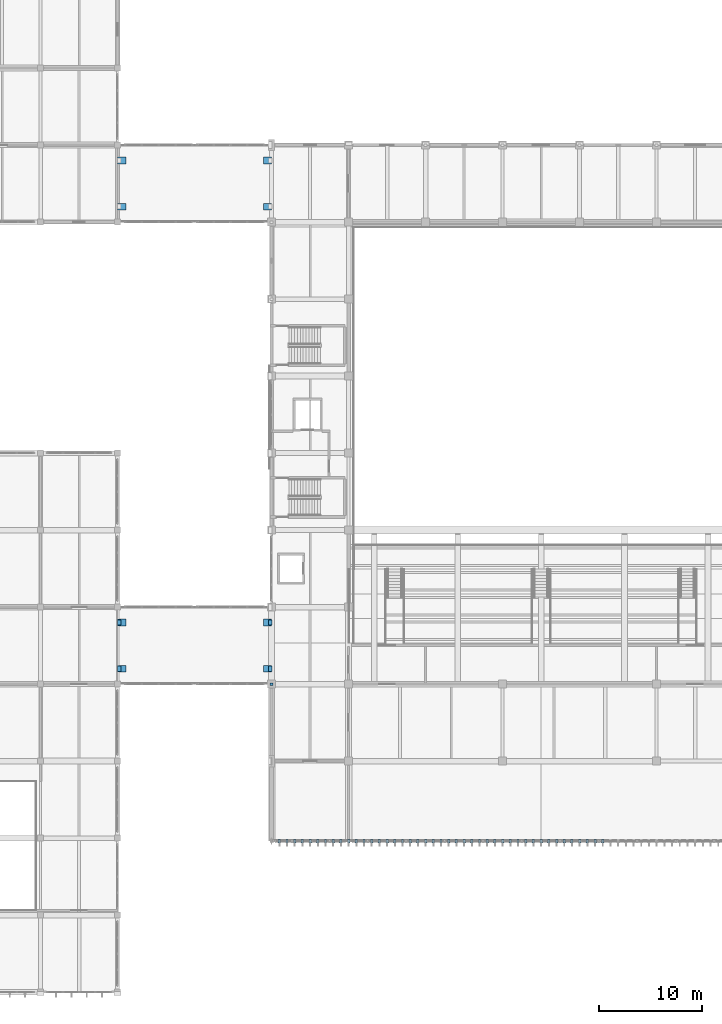
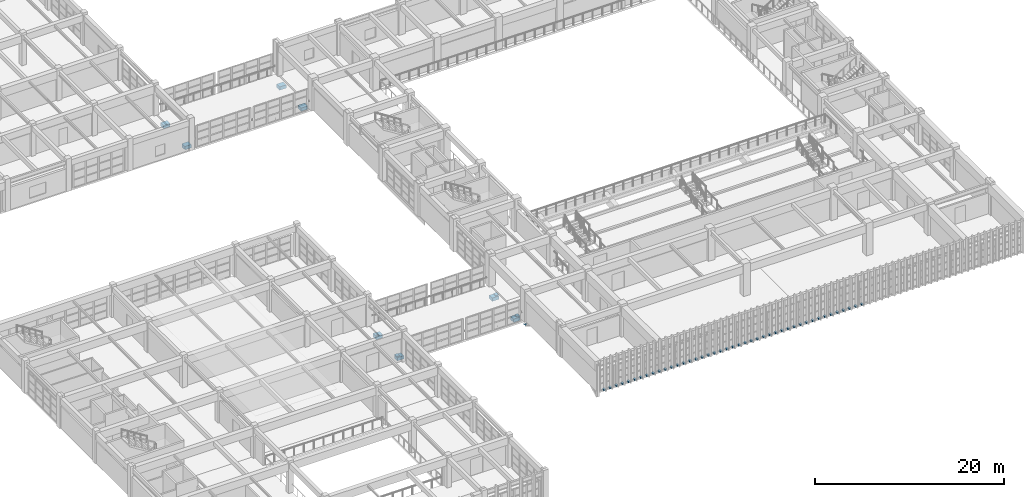
# One storey, part 103 of 124: 56 discrete accessories.
"""IFC4 building model written with IfcOpenShell, lengths in metres."""

from ifc_helpers import new_model, si_unit, direction, frame, origin, origin_2d, place, context, subcontext, project, spatial, rectangle, extrude, material, type_object, element, save


model = new_model("IFC4")

# Units and contexts
model_context = context("Model", 3, precision=1e-05, world=origin(), true_north=direction((0.0, 1.0)))
body_context = subcontext(model_context, "Body", "Model", "MODEL_VIEW")
ifc_project = project(units=[si_unit("LENGTHUNIT", "METRE"), si_unit("AREAUNIT", "SQUARE_METRE"), si_unit("VOLUMEUNIT", "CUBIC_METRE"), si_unit("PLANEANGLEUNIT", "RADIAN"), si_unit("MASSUNIT", "GRAM", prefix="KILO")], contexts=[model_context])

# Site, building, storey
site_placement = place(None, origin())
site = spatial("IfcSite", under=ifc_project, at=site_placement, CompositionType="ELEMENT")
building_placement = place(site_placement, origin())
building = spatial("IfcBuilding", under=site, at=building_placement, Name="Qasida Concert Hall", CompositionType="ELEMENT")
storey_placement = place(building_placement, frame((0.0, 0.0, 9.0)))
storey = spatial("IfcBuildingStorey", under=building, at=storey_placement, Name="L02", CompositionType="ELEMENT", Elevation=9.0)

# Discrete accessories
ifc_material_1 = material(Name="Steel S355J2", Category="steel")
discrete_accessory_type_1 = type_object("IfcDiscreteAccessoryType", Name="ACC-CONN-S355", PredefinedType="BRACKET", material=ifc_material_1)
discrete_accessory_placement = place(storey_placement, frame((52.5, 30.0, -0.612060546875), z_axis=(0.0, 0.0, 1.0), x_axis=(1.0, 0.0, 0.0)))
element("IfcDiscreteAccessory", 1, at=discrete_accessory_placement, inside=storey, type_object=discrete_accessory_type_1, Name="Steel brace/strut end connection CN-0003", PredefinedType="BRACKET", context=body_context, shape_type="SweptSolid", body=[
    extrude(rectangle(XDim=0.280029296875, YDim=0.239990234375, at=origin_2d()), origin(), (0.0, 0.0, 1.0), 0.02392578125),
])
ifc_material_2 = material(Name="Concrete C50/60", Category="concrete")
discrete_accessory_type_2 = type_object("IfcDiscreteAccessoryType", Name="ACC-CORBEL-800", PredefinedType="BRACKET", material=ifc_material_2)
for number, where, z_axis, x_axis, name in (
    (2, (37.89990234375, 31.5, -0.820068359375), (0.0, 0.0, 1.0), (1.0, 0.0, 0.0), "Seismic bridge corbel seat CB-800-009"),
    (3, (37.89990234375, 36.0, -0.820068359375), (0.0, 0.0, 1.0), (1.0, 0.0, 0.0), "Seismic bridge corbel seat CB-800-010"),
    (4, (52.10009765625, 31.5, -0.820068359375), (0.0, 0.0, 1.0), (1.0, 0.0, 0.0), "Seismic bridge corbel seat CB-800-011"),
    (5, (52.10009765625, 36.0, -0.820068359375), (0.0, 0.0, 1.0), (1.0, 0.0, 0.0), "Seismic bridge corbel seat CB-800-012"),
    (6, (37.89990234375, 76.5, -0.820068359375), (0.0, 0.0, 1.0), (1.0, 0.0, 0.0), "Seismic bridge corbel seat CB-800-025"),
    (7, (37.89990234375, 81.0, -0.820068359375), (0.0, 0.0, 1.0), (1.0, 0.0, 0.0), "Seismic bridge corbel seat CB-800-026"),
    (8, (52.10009765625, 76.5, -0.820068359375), (0.0, 0.0, 1.0), (1.0, 0.0, 0.0), "Seismic bridge corbel seat CB-800-027"),
    (9, (52.10009765625, 81.0, -0.820068359375), (0.0, 0.0, 1.0), (1.0, 0.0, 0.0), "Seismic bridge corbel seat CB-800-028"),
):
    element("IfcDiscreteAccessory", number, at=place(storey_placement, frame(where, z_axis=z_axis, x_axis=x_axis)), inside=storey, type_object=discrete_accessory_type_2, Name=name, PredefinedType="BRACKET", context=body_context, shape_type="SweptSolid", body=[
        extrude(rectangle(XDim=0.800048828125, YDim=0.64990234375, at=origin_2d()), origin(), (0.0, 0.0, 1.0), 0.419921875),
    ])
ifc_material_3 = material(Name="Stainless steel EN 1.4401", Category="steel")
discrete_accessory_type_3 = type_object("IfcDiscreteAccessoryType", Name="ACC-FIN-BRK", PredefinedType="BRACKET", material=ifc_material_3)
for number, where, z_axis, x_axis, name in (
    (10, (53.25, 14.699951171875, -0.08984375), (0.0, 0.0, 1.0), (1.0, 0.0, 0.0), "Facade fin anchor bracket FB-001"),
    (11, (54.0, 14.699951171875, -0.08984375), (0.0, 0.0, 1.0), (1.0, 0.0, 0.0), "Facade fin anchor bracket FB-002"),
    (12, (54.75, 14.699951171875, -0.08984375), (0.0, 0.0, 1.0), (1.0, 0.0, 0.0), "Facade fin anchor bracket FB-003"),
    (13, (55.5, 14.699951171875, -0.08984375), (0.0, 0.0, 1.0), (1.0, 0.0, 0.0), "Facade fin anchor bracket FB-004"),
    (14, (56.25, 14.699951171875, -0.08984375), (0.0, 0.0, 1.0), (1.0, 0.0, 0.0), "Facade fin anchor bracket FB-005"),
    (15, (57.0, 14.699951171875, -0.08984375), (0.0, 0.0, 1.0), (1.0, 0.0, 0.0), "Facade fin anchor bracket FB-006"),
    (16, (57.75, 14.699951171875, -0.08984375), (0.0, 0.0, 1.0), (1.0, 0.0, 0.0), "Facade fin anchor bracket FB-007"),
    (17, (58.5, 14.699951171875, -0.08984375), (0.0, 0.0, 1.0), (1.0, 0.0, 0.0), "Facade fin anchor bracket FB-008"),
    (18, (59.25, 14.699951171875, -0.08984375), (0.0, 0.0, 1.0), (1.0, 0.0, 0.0), "Facade fin anchor bracket FB-009"),
    (19, (60.0, 14.699951171875, -0.08984375), (0.0, 0.0, 1.0), (1.0, 0.0, 0.0), "Facade fin anchor bracket FB-010"),
    (20, (60.75, 14.699951171875, -0.08984375), (0.0, 0.0, 1.0), (1.0, 0.0, 0.0), "Facade fin anchor bracket FB-011"),
    (21, (61.5, 14.699951171875, -0.08984375), (0.0, 0.0, 1.0), (1.0, 0.0, 0.0), "Facade fin anchor bracket FB-012"),
    (22, (62.25, 14.699951171875, -0.08984375), (0.0, 0.0, 1.0), (1.0, 0.0, 0.0), "Facade fin anchor bracket FB-013"),
    (23, (63.0, 14.699951171875, -0.08984375), (0.0, 0.0, 1.0), (1.0, 0.0, 0.0), "Facade fin anchor bracket FB-014"),
    (24, (63.75, 14.699951171875, -0.08984375), (0.0, 0.0, 1.0), (1.0, 0.0, 0.0), "Facade fin anchor bracket FB-015"),
    (25, (64.5, 14.699951171875, -0.08984375), (0.0, 0.0, 1.0), (1.0, 0.0, 0.0), "Facade fin anchor bracket FB-016"),
    (26, (65.25, 14.699951171875, -0.08984375), (0.0, 0.0, 1.0), (1.0, 0.0, 0.0), "Facade fin anchor bracket FB-017"),
    (27, (66.0, 14.699951171875, -0.08984375), (0.0, 0.0, 1.0), (1.0, 0.0, 0.0), "Facade fin anchor bracket FB-018"),
    (28, (66.75, 14.699951171875, -0.08984375), (0.0, 0.0, 1.0), (1.0, 0.0, 0.0), "Facade fin anchor bracket FB-019"),
    (29, (67.5, 14.699951171875, -0.08984375), (0.0, 0.0, 1.0), (1.0, 0.0, 0.0), "Facade fin anchor bracket FB-020"),
    (30, (68.25, 14.699951171875, -0.08984375), (0.0, 0.0, 1.0), (1.0, 0.0, 0.0), "Facade fin anchor bracket FB-021"),
    (31, (69.0, 14.699951171875, -0.08984375), (0.0, 0.0, 1.0), (1.0, 0.0, 0.0), "Facade fin anchor bracket FB-022"),
    (32, (69.75, 14.699951171875, -0.08984375), (0.0, 0.0, 1.0), (1.0, 0.0, 0.0), "Facade fin anchor bracket FB-023"),
    (33, (70.5, 14.699951171875, -0.08984375), (0.0, 0.0, 1.0), (1.0, 0.0, 0.0), "Facade fin anchor bracket FB-024"),
    (34, (71.25, 14.699951171875, -0.08984375), (0.0, 0.0, 1.0), (1.0, 0.0, 0.0), "Facade fin anchor bracket FB-025"),
    (35, (72.0, 14.699951171875, -0.08984375), (0.0, 0.0, 1.0), (1.0, 0.0, 0.0), "Facade fin anchor bracket FB-026"),
    (36, (72.75, 14.699951171875, -0.08984375), (0.0, 0.0, 1.0), (1.0, 0.0, 0.0), "Facade fin anchor bracket FB-027"),
    (37, (73.5, 14.699951171875, -0.08984375), (0.0, 0.0, 1.0), (1.0, 0.0, 0.0), "Facade fin anchor bracket FB-028"),
    (38, (74.25, 14.699951171875, -0.08984375), (0.0, 0.0, 1.0), (1.0, 0.0, 0.0), "Facade fin anchor bracket FB-029"),
    (39, (75.0, 14.699951171875, -0.08984375), (0.0, 0.0, 1.0), (1.0, 0.0, 0.0), "Facade fin anchor bracket FB-030"),
    (40, (75.75, 14.699951171875, -0.08984375), (0.0, 0.0, 1.0), (1.0, 0.0, 0.0), "Facade fin anchor bracket FB-031"),
    (41, (76.5, 14.699951171875, -0.08984375), (0.0, 0.0, 1.0), (1.0, 0.0, 0.0), "Facade fin anchor bracket FB-032"),
    (42, (77.25, 14.699951171875, -0.08984375), (0.0, 0.0, 1.0), (1.0, 0.0, 0.0), "Facade fin anchor bracket FB-033"),
    (43, (78.0, 14.699951171875, -0.08984375), (0.0, 0.0, 1.0), (1.0, 0.0, 0.0), "Facade fin anchor bracket FB-034"),
    (44, (78.75, 14.699951171875, -0.08984375), (0.0, 0.0, 1.0), (1.0, 0.0, 0.0), "Facade fin anchor bracket FB-035"),
    (45, (79.5, 14.699951171875, -0.08984375), (0.0, 0.0, 1.0), (1.0, 0.0, 0.0), "Facade fin anchor bracket FB-036"),
    (46, (80.25, 14.699951171875, -0.08984375), (0.0, 0.0, 1.0), (1.0, 0.0, 0.0), "Facade fin anchor bracket FB-037"),
    (47, (81.0, 14.699951171875, -0.08984375), (0.0, 0.0, 1.0), (1.0, 0.0, 0.0), "Facade fin anchor bracket FB-038"),
    (48, (81.75, 14.699951171875, -0.08984375), (0.0, 0.0, 1.0), (1.0, 0.0, 0.0), "Facade fin anchor bracket FB-039"),
    (49, (82.5, 14.699951171875, -0.08984375), (0.0, 0.0, 1.0), (1.0, 0.0, 0.0), "Facade fin anchor bracket FB-040"),
    (50, (83.25, 14.699951171875, -0.08984375), (0.0, 0.0, 1.0), (1.0, 0.0, 0.0), "Facade fin anchor bracket FB-041"),
    (51, (84.0, 14.699951171875, -0.08984375), (0.0, 0.0, 1.0), (1.0, 0.0, 0.0), "Facade fin anchor bracket FB-042"),
    (52, (84.75, 14.699951171875, -0.08984375), (0.0, 0.0, 1.0), (1.0, 0.0, 0.0), "Facade fin anchor bracket FB-043"),
):
    element("IfcDiscreteAccessory", number, at=place(storey_placement, frame(where, z_axis=z_axis, x_axis=x_axis)), inside=storey, type_object=discrete_accessory_type_3, Name=name, PredefinedType="BRACKET", context=body_context, shape_type="SweptSolid", body=[
        extrude(rectangle(XDim=0.239990234375, YDim=0.320068359375, at=origin_2d()), origin(), (0.0, 0.0, 1.0), 0.179931640625),
    ])
discrete_accessory_type_4 = type_object("IfcDiscreteAccessoryType", Name="ACC-PTFE-SLIDE", PredefinedType="BRACKET", material=ifc_material_1)
for number, where, z_axis, x_axis, name in (
    (53, (37.64990234375, 31.5, -0.400146484375), (0.0, 0.0, 1.0), (1.0, 0.0, 0.0), "Seismic sliding bearing SB-PTFE-009"),
    (54, (37.64990234375, 36.0, -0.400146484375), (0.0, 0.0, 1.0), (1.0, 0.0, 0.0), "Seismic sliding bearing SB-PTFE-010"),
    (55, (52.35009765625, 31.5, -0.400146484375), (0.0, 0.0, 1.0), (1.0, 0.0, 0.0), "Seismic sliding bearing SB-PTFE-011"),
    (56, (52.35009765625, 36.0, -0.400146484375), (0.0, 0.0, 1.0), (1.0, 0.0, 0.0), "Seismic sliding bearing SB-PTFE-012"),
):
    element("IfcDiscreteAccessory", number, at=place(storey_placement, frame(where, z_axis=z_axis, x_axis=x_axis)), inside=storey, type_object=discrete_accessory_type_4, Name=name, PredefinedType="BRACKET", context=body_context, shape_type="SweptSolid", body=[
        extrude(rectangle(XDim=0.35009765625, YDim=0.5, at=origin_2d()), origin(), (0.0, 0.0, 1.0), 0.1201171875),
    ])

save(model, "model.ifc")
